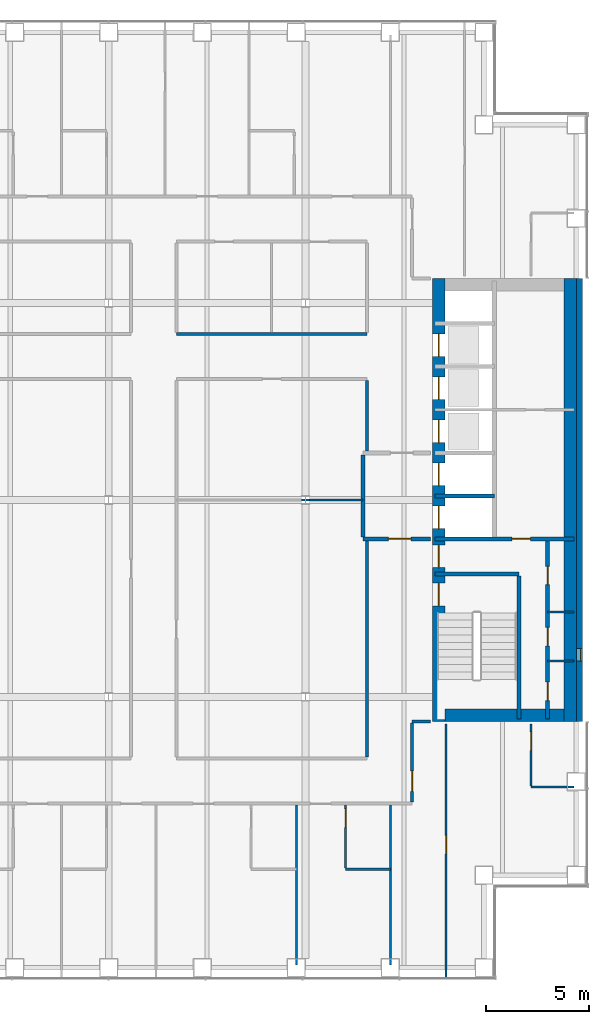
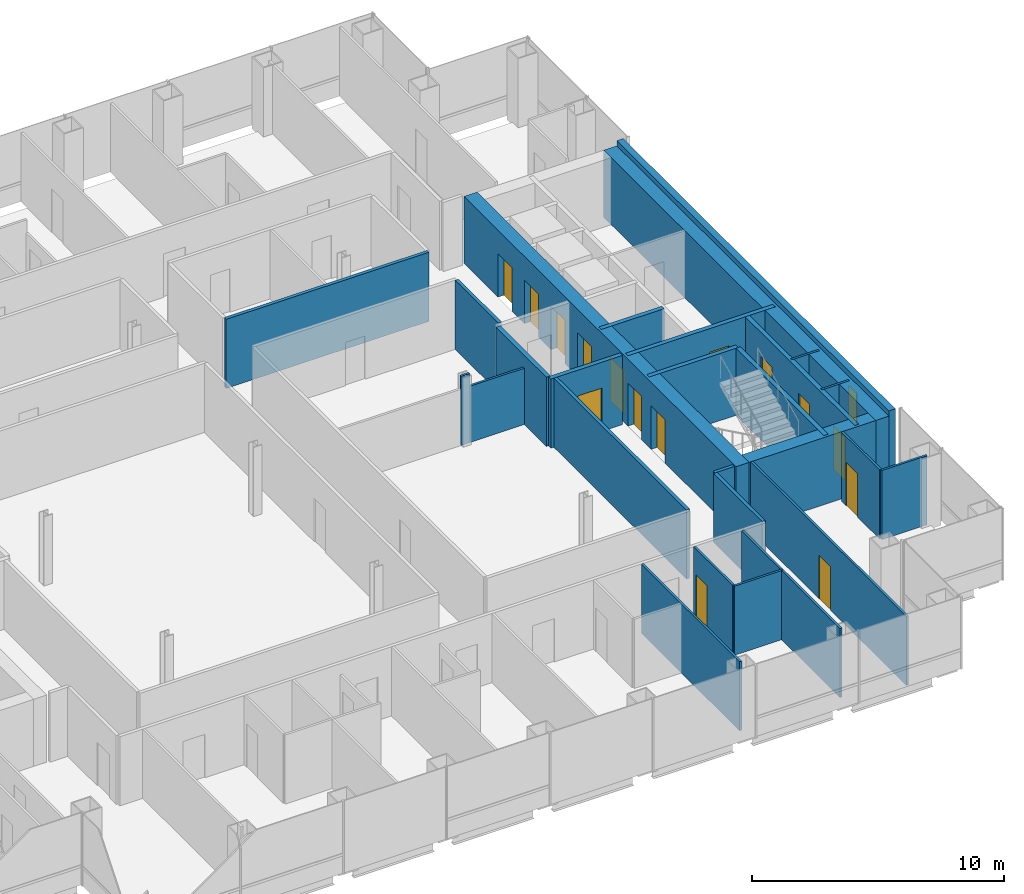
# One storey, part 12 of 16: 27 walls, 16 doors, 1 window, 17 openings.
"""IFC4 building model written with IfcOpenShell, lengths in metres."""

from ifc_helpers import new_model, si_unit, direction, frame, frame_2d, origin, place, context, subcontext, project, spatial, rectangle, extrude, material, layer, layer_set, type_object, element, fill, save


model = new_model("IFC4")

# Units and contexts
model_context = context("Model", 3, precision=1e-05, world=origin(), true_north=direction((0.0, 1.0)))
body_context = subcontext(model_context, "Body", "Model", "MODEL_VIEW")
ifc_project = project(units=[si_unit("LENGTHUNIT", "METRE"), si_unit("AREAUNIT", "SQUARE_METRE"), si_unit("VOLUMEUNIT", "CUBIC_METRE"), si_unit("PLANEANGLEUNIT", "RADIAN"), si_unit("MASSUNIT", "GRAM", prefix="KILO")], contexts=[model_context])

# Site, building, storey
site_placement = place(None, origin())
site = spatial("IfcSite", under=ifc_project, at=site_placement, CompositionType="ELEMENT")
building_placement = place(site_placement, origin())
building = spatial("IfcBuilding", under=site, at=building_placement, Name="Cobrizo Arcos Hotel Tower", CompositionType="ELEMENT")
storey_placement = place(building_placement, frame((0.0, 0.0, 92.5)))
storey = spatial("IfcBuildingStorey", under=building, at=storey_placement, Name="L22", CompositionType="ELEMENT", Elevation=92.5)

# Walls
ifc_material_1 = material(Name="Gypsum board partition")
ifc_layer_1 = layer(ifc_material_1, 0.14990234375)
ifc_layer_set_1 = layer_set([ifc_layer_1], Name="Corridor wall EI 60 150")
wall_type_1 = type_object("IfcWallType", Name="Corridor wall EI 60 150", PredefinedType="PARTITIONING", material=ifc_layer_set_1)
wall_1_placement = place(storey_placement, frame((14.800048828125, -10.800048828125, 0.0), z_axis=(0.0, 0.0, 1.0), x_axis=(1.0, 0.0, 0.0)))
element("IfcWall", 1, at=wall_1_placement, inside=storey, type_object=wall_type_1, Name="Partition 011", PredefinedType="PARTITIONING", context=body_context, shape_type="SweptSolid", body=[
    extrude(rectangle(XDim=0.8798828125, YDim=0.14990234375, at=frame_2d((0.43994140625, 0.0))), origin(), (0.0, 0.0, 1.0), 3.35009765625),
])
wall_2_placement = place(storey_placement, frame((3.300048828125, 8.10009765625, 0.0), z_axis=(0.0, 0.0, 1.0), x_axis=(1.0, 0.0, 0.0)))
element("IfcWall", 2, at=wall_2_placement, inside=storey, type_object=wall_type_1, Name="Partition 038", PredefinedType="PARTITIONING", context=body_context, shape_type="SweptSolid", body=[
    extrude(rectangle(XDim=9.300048828125, YDim=0.14990234375, at=frame_2d((4.64990234375, 0.0))), origin(), (0.0, 0.0, 1.0), 3.35009765625),
])
wall_3_placement = place(storey_placement, frame((12.60009765625, -12.52490234375, 0.0), z_axis=(0.0, 0.0, 1.0), x_axis=(0.0, 1.0, 0.0)))
element("IfcWall", 3, at=wall_3_placement, inside=storey, type_object=wall_type_1, Name="Partition 092", PredefinedType="PARTITIONING", context=body_context, shape_type="SweptSolid", body=[
    extrude(rectangle(XDim=10.52490234375, YDim=0.14990234375, at=frame_2d((5.262451171875, 0.0))), origin(), (0.0, 0.0, 1.0), 3.35009765625),
])
wall_4_placement = place(storey_placement, frame((12.60009765625, 2.39990234375, 0.0), z_axis=(0.0, 0.0, 1.0), x_axis=(0.0, 1.0, 0.0)))
element("IfcWall", 4, at=wall_4_placement, inside=storey, type_object=wall_type_1, Name="Partition 093", PredefinedType="PARTITIONING", context=body_context, shape_type="SweptSolid", body=[
    extrude(rectangle(XDim=3.425048828125, YDim=0.14990234375, at=frame_2d((1.71240234375, 0.0))), origin(), (0.0, 0.0, 1.0), 3.35009765625),
])

# Wall, opening, door
wall_5_placement = place(storey_placement, frame((14.800048828125, -14.72509765625, 0.0), z_axis=(0.0, 0.0, 1.0), x_axis=(0.0, 1.0, 0.0)))
wall_5 = element("IfcWall", 5, at=wall_5_placement, inside=storey, type_object=wall_type_1, Name="Partition 097", PredefinedType="PARTITIONING", context=body_context, shape_type="SweptSolid", body=[
    extrude(rectangle(XDim=3.85009765625, YDim=0.14990234375, at=frame_2d((1.925048828125, 0.0))), origin(), (0.0, 0.0, 1.0), 3.35009765625),
])
opening_1_placement = place(wall_5_placement, frame((0.52490234375, 0.0, 0.0)))
opening_1 = element("IfcOpeningElement", 6, at=opening_1_placement, cuts=wall_5, Name="Opening GD-12", PredefinedType="OPENING", context=body_context, shape_type="SweptSolid", body=[
    extrude(rectangle(XDim=1.0, YDim=2.10009765625, at=frame_2d((0.5, 1.050048828125))), frame((0.0, 0.0869140625, 0.0), z_axis=(0.0, -1.0, 0.0), x_axis=(1.0, 0.0, 0.0)), (0.0, 0.0, 1.0), 0.173828125),
])
ifc_material_2 = material(Name="Timber door leaf", Category="wood")
door_type_1 = type_object("IfcDoorType", Name="Guest room door FD30S 1000x2100", OperationType="SINGLE_SWING_LEFT", PredefinedType="DOOR", material=ifc_material_2)
door_1_placement = place(opening_1_placement, origin())
door_1 = element("IfcDoor", 7, at=door_1_placement, inside=storey, type_object=door_type_1, Name="Door GD-12", OperationType="SINGLE_SWING_LEFT", OverallHeight=2.10009765625, OverallWidth=1.0, PredefinedType="DOOR", context=body_context, shape_type="SweptSolid", body=[
    extrude(rectangle(XDim=1.0, YDim=2.10009765625, at=frame_2d((0.5, 1.050048828125))), frame((0.0, 0.02490234375, 0.0), z_axis=(0.0, -1.0, 0.0), x_axis=(1.0, 0.0, 0.0)), (0.0, 0.0, 1.0), 0.050048828125),
])
fill(opening_1, door_1)

# Wall, opening, window
ifc_material_3 = material(Name="Aluminium composite panel pale metal", Category="aluminium")
ifc_layer_2 = layer(ifc_material_3, 0.300048828125)
ifc_layer_set_2 = layer_set([ifc_layer_2], Name="EW-1 insulated panel wall 300")
wall_type_2 = type_object("IfcWallType", Name="EW-1 insulated panel wall 300", PredefinedType="SOLIDWALL", material=ifc_layer_set_2)
wall_6_placement = place(storey_placement, frame((22.949951171875, -10.800048828125, 0.0), z_axis=(0.0, 0.0, 1.0), x_axis=(0.0, 1.0, 0.0)))
wall_6 = element("IfcWall", 8, at=wall_6_placement, inside=storey, type_object=wall_type_2, Name="Core face wall L22 E", PredefinedType="SOLIDWALL", context=body_context, shape_type="SweptSolid", body=[
    extrude(rectangle(XDim=21.60009765625, YDim=0.300048828125, at=frame_2d((10.800048828125, 0.0))), origin(), (0.0, 0.0, 1.0), 3.5),
])
opening_2_placement = place(wall_6_placement, frame((2.949951171875, 0.0, 1.0)))
opening_2 = element("IfcOpeningElement", 9, at=opening_2_placement, cuts=wall_6, Name="Opening W-45", PredefinedType="OPENING", context=body_context, shape_type="SweptSolid", body=[
    extrude(rectangle(XDim=0.60009765625, YDim=1.5, at=frame_2d((0.300048828125, 0.75))), frame((0.0, 0.162109375, 0.0), z_axis=(0.0, -1.0, 0.0), x_axis=(1.0, 0.0, 0.0)), (0.0, 0.0, 1.0), 0.323974609375),
])
ifc_material_4 = material(Name="Aluminium 6063-T6 and clear laminated glass", Category="aluminium")
window_type = type_object("IfcWindowType", Name="W-C1 core stair slot window 600x1500", PartitioningType="SINGLE_PANEL", PredefinedType="WINDOW", material=ifc_material_4)
window_placement = place(opening_2_placement, origin())
window = element("IfcWindow", 10, at=window_placement, inside=storey, type_object=window_type, Name="Core face wall L22 E window W-45", OverallHeight=1.5, OverallWidth=0.60009765625, PartitioningType="SINGLE_PANEL", PredefinedType="WINDOW", context=body_context, shape_type="SweptSolid", body=[
    extrude(rectangle(XDim=0.60009765625, YDim=1.5, at=frame_2d((0.300048828125, 0.75))), frame((0.0, -0.06005859375, 0.0), z_axis=(0.0, -1.0, 0.0), x_axis=(1.0, 0.0, 0.0)), (0.0, 0.0, 1.0), 0.06005859375),
])
fill(opening_2, window)

# Walls
ifc_layer_3 = layer(ifc_material_1, 0.10009765625)
ifc_layer_set_3 = layer_set([ifc_layer_3], Name="Partition EI 30 100")
wall_type_3 = type_object("IfcWallType", Name="Partition EI 30 100", PredefinedType="PARTITIONING", material=ifc_layer_set_3)
wall_7_placement = place(storey_placement, frame((11.550048828125, -18.0, 0.0), z_axis=(0.0, 0.0, 1.0), x_axis=(1.0, 0.0, 0.0)))
element("IfcWall", 11, at=wall_7_placement, inside=storey, type_object=wall_type_3, Name="Partition 004", PredefinedType="PARTITIONING", context=body_context, shape_type="SweptSolid", body=[
    extrude(rectangle(XDim=2.199951171875, YDim=0.10009765625, at=frame_2d((1.10009765625, 0.0))), origin(), (0.0, 0.0, 1.0), 3.35009765625),
])
wall_8_placement = place(storey_placement, frame((20.60009765625, -14.0, 0.0), z_axis=(0.0, 0.0, 1.0), x_axis=(1.0, 0.0, 0.0)))
element("IfcWall", 12, at=wall_8_placement, inside=storey, type_object=wall_type_3, Name="Partition 007", PredefinedType="PARTITIONING", context=body_context, shape_type="SweptSolid", body=[
    extrude(rectangle(XDim=2.079833984375, YDim=0.10009765625, at=frame_2d((1.0400390625, 0.0))), origin(), (0.0, 0.0, 1.0), 3.35009765625),
])
for number, where, z_axis, x_axis, name in (
    (13, (21.39990234375, -7.85009765625, 0.0), (0.0, 0.0, 1.0), (1.0, 0.0, 0.0), "Partition 013"),
    (14, (21.39990234375, -5.449951171875, 0.0), (0.0, 0.0, 1.0), (1.0, 0.0, 0.0), "Partition 015"),
):
    element("IfcWall", number, at=place(storey_placement, frame(where, z_axis=z_axis, x_axis=x_axis)), inside=storey, type_object=wall_type_3, Name=name, PredefinedType="PARTITIONING", context=body_context, shape_type="SweptSolid", body=[
        extrude(rectangle(XDim=1.280029296875, YDim=0.10009765625, at=frame_2d((0.64013671875, 0.0))), origin(), (0.0, 0.0, 1.0), 3.25),
    ])
wall_9_placement = place(storey_placement, frame((9.40087890625, 0.0, 0.0), z_axis=(0.0, 0.0, 1.0), x_axis=(1.0, 0.0, 0.0)))
element("IfcWall", 15, at=wall_9_placement, inside=storey, type_object=wall_type_3, Name="Partition 023", PredefinedType="PARTITIONING", context=body_context, shape_type="SweptSolid", body=[
    extrude(rectangle(XDim=0.398193359375, YDim=0.10009765625, at=frame_2d((0.19921875, 0.0))), origin(), (0.0, 0.0, 1.0), 3.35009765625),
])
wall_10_placement = place(storey_placement, frame((9.799072265625, 0.0, 0.0), z_axis=(0.0, 0.0, 1.0), x_axis=(1.0, 0.0, 0.0)))
element("IfcWall", 16, at=wall_10_placement, inside=storey, type_object=wall_type_3, Name="Partition 024", PredefinedType="PARTITIONING", context=body_context, shape_type="SweptSolid", body=[
    extrude(rectangle(XDim=2.600830078125, YDim=0.10009765625, at=frame_2d((1.30029296875, 0.0))), origin(), (0.0, 0.0, 1.0), 2.72802734375),
])
wall_11_placement = place(storey_placement, frame((9.14990234375, -22.679931640625, 0.0), z_axis=(0.0, 0.0, 1.0), x_axis=(0.0, 1.0, 0.0)))
element("IfcWall", 17, at=wall_11_placement, inside=storey, type_object=wall_type_3, Name="Partition 089", PredefinedType="PARTITIONING", context=body_context, shape_type="SweptSolid", body=[
    extrude(rectangle(XDim=7.804931640625, YDim=0.10009765625, at=frame_2d((3.90234375, 0.0))), origin(), (0.0, 0.0, 1.0), 3.35009765625),
])

# Wall, opening, door
wall_12_placement = place(storey_placement, frame((11.550048828125, -17.949951171875, 0.0), z_axis=(0.0, 0.0, 1.0), x_axis=(0.0, 1.0, 0.0)))
wall_12 = element("IfcWall", 18, at=wall_12_placement, inside=storey, type_object=wall_type_3, Name="Partition 090", PredefinedType="PARTITIONING", context=body_context, shape_type="SweptSolid", body=[
    extrude(rectangle(XDim=3.074951171875, YDim=0.10009765625, at=frame_2d((1.53759765625, 0.0))), origin(), (0.0, 0.0, 1.0), 3.35009765625),
])
opening_3_placement = place(wall_12_placement, frame((1.99609375, 0.0, 0.0)))
opening_3 = element("IfcOpeningElement", 19, at=opening_3_placement, cuts=wall_12, Name="Opening ED-09", PredefinedType="OPENING", context=body_context, shape_type="SweptSolid", body=[
    extrude(rectangle(XDim=0.89990234375, YDim=2.10009765625, at=frame_2d((0.449951171875, 1.050048828125))), frame((0.0, 0.06201171875, 0.0), z_axis=(0.0, -1.0, 0.0), x_axis=(1.0, 0.0, 0.0)), (0.0, 0.0, 1.0), 0.1240234375),
])
door_type_2 = type_object("IfcDoorType", Name="En-suite door 900x2100", OperationType="SINGLE_SWING_LEFT", PredefinedType="DOOR", material=ifc_material_2)
door_2_placement = place(opening_3_placement, origin())
door_2 = element("IfcDoor", 20, at=door_2_placement, inside=storey, type_object=door_type_2, Name="Door ED-09", OperationType="SINGLE_SWING_RIGHT", OverallHeight=2.10009765625, OverallWidth=0.89990234375, PredefinedType="DOOR", context=body_context, shape_type="SweptSolid", body=[
    extrude(rectangle(XDim=0.89990234375, YDim=2.10009765625, at=frame_2d((0.449951171875, 1.050048828125))), frame((0.0, 0.02490234375, 0.0), z_axis=(0.0, -1.0, 0.0), x_axis=(1.0, 0.0, 0.0)), (0.0, 0.0, 1.0), 0.050048828125),
])
fill(opening_3, door_2)

# Wall
wall_13_placement = place(storey_placement, frame((13.75, -22.679931640625, 0.0), z_axis=(0.0, 0.0, 1.0), x_axis=(0.0, 1.0, 0.0)))
element("IfcWall", 21, at=wall_13_placement, inside=storey, type_object=wall_type_3, Name="Partition 095", PredefinedType="PARTITIONING", context=body_context, shape_type="SweptSolid", body=[
    extrude(rectangle(XDim=7.804931640625, YDim=0.10009765625, at=frame_2d((3.90234375, 0.0))), origin(), (0.0, 0.0, 1.0), 3.35009765625),
])

# Wall, opening, door
wall_14_placement = place(storey_placement, frame((16.449951171875, -23.280029296875, 0.0), z_axis=(0.0, 0.0, 1.0), x_axis=(0.0, 1.0, 0.0)))
wall_14 = element("IfcWall", 22, at=wall_14_placement, inside=storey, type_object=wall_type_3, Name="Partition 099", PredefinedType="PARTITIONING", context=body_context, shape_type="SweptSolid", body=[
    extrude(rectangle(XDim=12.360107421875, YDim=0.10009765625, at=frame_2d((6.18017578125, 0.0))), origin(), (0.0, 0.0, 1.0), 3.35009765625),
])
opening_4_placement = place(wall_14_placement, frame((6.030029296875, 0.0, 0.0)))
opening_4 = element("IfcOpeningElement", 23, at=opening_4_placement, cuts=wall_14, Name="Opening RD-14", PredefinedType="OPENING", context=body_context, shape_type="SweptSolid", body=[
    extrude(rectangle(XDim=0.89990234375, YDim=2.10009765625, at=frame_2d((0.449951171875, 1.050048828125))), frame((0.0, 0.06201171875, 0.0), z_axis=(0.0, -1.0, 0.0), x_axis=(1.0, 0.0, 0.0)), (0.0, 0.0, 1.0), 0.1240234375),
])
door_type_3 = type_object("IfcDoorType", Name="Room door FD30 900x2100", OperationType="SINGLE_SWING_LEFT", PredefinedType="DOOR", material=ifc_material_2)
door_3_placement = place(opening_4_placement, origin())
door_3 = element("IfcDoor", 24, at=door_3_placement, inside=storey, type_object=door_type_3, Name="Door RD-14", OperationType="SINGLE_SWING_LEFT", OverallHeight=2.10009765625, OverallWidth=0.89990234375, PredefinedType="DOOR", context=body_context, shape_type="SweptSolid", body=[
    extrude(rectangle(XDim=0.89990234375, YDim=2.10009765625, at=frame_2d((0.449951171875, 1.050048828125))), frame((0.0, 0.02490234375, 0.0), z_axis=(0.0, -1.0, 0.0), x_axis=(1.0, 0.0, 0.0)), (0.0, 0.0, 1.0), 0.050048828125),
])
fill(opening_4, door_3)

wall_15_placement = place(storey_placement, frame((20.60009765625, -13.949951171875, 0.0), z_axis=(0.0, 0.0, 1.0), x_axis=(0.0, 1.0, 0.0)))
wall_15 = element("IfcWall", 25, at=wall_15_placement, inside=storey, type_object=wall_type_3, Name="Partition 104", PredefinedType="PARTITIONING", context=body_context, shape_type="SweptSolid", body=[
    extrude(rectangle(XDim=3.030029296875, YDim=0.10009765625, at=frame_2d((1.51513671875, 0.0))), origin(), (0.0, 0.0, 1.0), 3.35009765625),
])
opening_5_placement = place(wall_15_placement, frame((1.739990234375, 0.0, 0.0)))
opening_5 = element("IfcOpeningElement", 26, at=opening_5_placement, cuts=wall_15, Name="Opening ED-12", PredefinedType="OPENING", context=body_context, shape_type="SweptSolid", body=[
    extrude(rectangle(XDim=0.89990234375, YDim=2.10009765625, at=frame_2d((0.449951171875, 1.050048828125))), frame((0.0, 0.06201171875, 0.0), z_axis=(0.0, -1.0, 0.0), x_axis=(1.0, 0.0, 0.0)), (0.0, 0.0, 1.0), 0.1240234375),
])
door_4_placement = place(opening_5_placement, origin())
door_4 = element("IfcDoor", 27, at=door_4_placement, inside=storey, type_object=door_type_2, Name="Door ED-12", OperationType="SINGLE_SWING_RIGHT", OverallHeight=2.10009765625, OverallWidth=0.89990234375, PredefinedType="DOOR", context=body_context, shape_type="SweptSolid", body=[
    extrude(rectangle(XDim=0.89990234375, YDim=2.10009765625, at=frame_2d((0.449951171875, 1.050048828125))), frame((0.0, 0.02490234375, 0.0), z_axis=(0.0, -1.0, 0.0), x_axis=(1.0, 0.0, 0.0)), (0.0, 0.0, 1.0), 0.050048828125),
])
fill(opening_5, door_4)

# Wall, openings, doors
ifc_material_5 = material(Name="Concrete f'c 50 MPa", Category="concrete")
ifc_layer_4 = layer(ifc_material_5, 0.60009765625)
ifc_layer_set_4 = layer_set([ifc_layer_4], Name="RC core wall 600 f'c 50")
wall_type_4 = type_object("IfcWallType", Name="RC core wall 600 f'c 50", PredefinedType="SHEAR", material=ifc_layer_set_4)
wall_16_placement = place(storey_placement, frame((16.10009765625, -10.800048828125, 0.0), z_axis=(0.0, 0.0, 1.0), x_axis=(0.0, 1.0, 0.0)))
wall_16 = element("IfcWall", 28, at=wall_16_placement, inside=storey, type_object=wall_type_4, Name="Core wall CW2, east core, inner face, L22", PredefinedType="SHEAR", context=body_context, shape_type="SweptSolid", body=[
    extrude(rectangle(XDim=21.60009765625, YDim=0.60009765625, at=frame_2d((10.800048828125, 0.0))), origin(), (0.0, 0.0, 1.0), 3.25),
])
opening_6_placement = place(wall_16_placement, frame((9.39990234375, 0.0, 0.0)))
opening_6 = element("IfcOpeningElement", 29, at=opening_6_placement, cuts=wall_16, Name="Opening LD-06", PredefinedType="OPENING", context=body_context, shape_type="SweptSolid", body=[
    extrude(rectangle(XDim=1.10009765625, YDim=2.10009765625, at=frame_2d((0.550048828125, 1.050048828125))), frame((0.0, 0.31201171875, 0.0), z_axis=(0.0, -1.0, 0.0), x_axis=(1.0, 0.0, 0.0)), (0.0, 0.0, 1.0), 0.6240234375),
])
opening_7_placement = place(wall_16_placement, frame((11.5, 0.0, 0.0)))
opening_7 = element("IfcOpeningElement", 30, at=opening_7_placement, cuts=wall_16, Name="Opening LD-07", PredefinedType="OPENING", context=body_context, shape_type="SweptSolid", body=[
    extrude(rectangle(XDim=1.10009765625, YDim=2.10009765625, at=frame_2d((0.550048828125, 1.050048828125))), frame((0.0, 0.31201171875, 0.0), z_axis=(0.0, -1.0, 0.0), x_axis=(1.0, 0.0, 0.0)), (0.0, 0.0, 1.0), 0.6240234375),
])
opening_8_placement = place(wall_16_placement, frame((13.60009765625, 0.0, 0.0)))
opening_8 = element("IfcOpeningElement", 31, at=opening_8_placement, cuts=wall_16, Name="Opening LD-08", PredefinedType="OPENING", context=body_context, shape_type="SweptSolid", body=[
    extrude(rectangle(XDim=1.10009765625, YDim=2.10009765625, at=frame_2d((0.550048828125, 1.050048828125))), frame((0.0, 0.31201171875, 0.0), z_axis=(0.0, -1.0, 0.0), x_axis=(1.0, 0.0, 0.0)), (0.0, 0.0, 1.0), 0.6240234375),
])
opening_9_placement = place(wall_16_placement, frame((15.699951171875, 0.0, 0.0)))
opening_9 = element("IfcOpeningElement", 32, at=opening_9_placement, cuts=wall_16, Name="Opening LD-09", PredefinedType="OPENING", context=body_context, shape_type="SweptSolid", body=[
    extrude(rectangle(XDim=1.10009765625, YDim=2.10009765625, at=frame_2d((0.550048828125, 1.050048828125))), frame((0.0, 0.31201171875, 0.0), z_axis=(0.0, -1.0, 0.0), x_axis=(1.0, 0.0, 0.0)), (0.0, 0.0, 1.0), 0.6240234375),
])
opening_10_placement = place(wall_16_placement, frame((17.800048828125, 0.0, 0.0)))
opening_10 = element("IfcOpeningElement", 33, at=opening_10_placement, cuts=wall_16, Name="Opening LD-10", PredefinedType="OPENING", context=body_context, shape_type="SweptSolid", body=[
    extrude(rectangle(XDim=1.10009765625, YDim=2.10009765625, at=frame_2d((0.550048828125, 1.050048828125))), frame((0.0, 0.31201171875, 0.0), z_axis=(0.0, -1.0, 0.0), x_axis=(1.0, 0.0, 0.0)), (0.0, 0.0, 1.0), 0.6240234375),
])
opening_11_placement = place(wall_16_placement, frame((5.64208984375, 0.0, 0.0)))
opening_11 = element("IfcOpeningElement", 34, at=opening_11_placement, cuts=wall_16, Name="Opening SD-02", PredefinedType="OPENING", context=body_context, shape_type="SweptSolid", body=[
    extrude(rectangle(XDim=1.10009765625, YDim=2.10009765625, at=frame_2d((0.550048828125, 1.050048828125))), frame((0.0, 0.31201171875, 0.0), z_axis=(0.0, -1.0, 0.0), x_axis=(1.0, 0.0, 0.0)), (0.0, 0.0, 1.0), 0.6240234375),
])
opening_12_placement = place(wall_16_placement, frame((7.5, 0.0, 0.0)))
opening_12 = element("IfcOpeningElement", 35, at=opening_12_placement, cuts=wall_16, Name="Opening FD-04", PredefinedType="OPENING", context=body_context, shape_type="SweptSolid", body=[
    extrude(rectangle(XDim=1.10009765625, YDim=2.10009765625, at=frame_2d((0.550048828125, 1.050048828125))), frame((0.0, 0.31201171875, 0.0), z_axis=(0.0, -1.0, 0.0), x_axis=(1.0, 0.0, 0.0)), (0.0, 0.0, 1.0), 0.6240234375),
])
ifc_material_6 = material(Name="Steel door leaf", Category="steel")
door_type_4 = type_object("IfcDoorType", Name="Fire door FD60 1100x2100", OperationType="SINGLE_SWING_LEFT", PredefinedType="DOOR", material=ifc_material_6)
door_5_placement = place(opening_12_placement, origin())
door_5 = element("IfcDoor", 36, at=door_5_placement, inside=storey, type_object=door_type_4, Name="Door FD-04", OperationType="SINGLE_SWING_RIGHT", OverallHeight=2.10009765625, OverallWidth=1.10009765625, PredefinedType="DOOR", context=body_context, shape_type="SweptSolid", body=[
    extrude(rectangle(XDim=1.10009765625, YDim=2.10009765625, at=frame_2d((0.550048828125, 1.050048828125))), frame((0.0, 0.02490234375, 0.0), z_axis=(0.0, -1.0, 0.0), x_axis=(1.0, 0.0, 0.0)), (0.0, 0.0, 1.0), 0.050048828125),
])
fill(opening_12, door_5)
door_type_5 = type_object("IfcDoorType", Name="Lift landing door 1100x2100", OperationType="SLIDING_TO_LEFT", PredefinedType="DOOR", material=ifc_material_6)
door_6_placement = place(opening_6_placement, origin())
door_6 = element("IfcDoor", 37, at=door_6_placement, inside=storey, type_object=door_type_5, Name="Lift landing door LD-06", OperationType="SLIDING_TO_LEFT", OverallHeight=2.10009765625, OverallWidth=1.10009765625, PredefinedType="DOOR", context=body_context, shape_type="SweptSolid", body=[
    extrude(rectangle(XDim=1.10009765625, YDim=2.10009765625, at=frame_2d((0.550048828125, 1.050048828125))), frame((0.0, 0.02490234375, 0.0), z_axis=(0.0, -1.0, 0.0), x_axis=(1.0, 0.0, 0.0)), (0.0, 0.0, 1.0), 0.050048828125),
])
fill(opening_6, door_6)
door_7_placement = place(opening_7_placement, origin())
door_7 = element("IfcDoor", 38, at=door_7_placement, inside=storey, type_object=door_type_5, Name="Lift landing door LD-07", OperationType="SLIDING_TO_LEFT", OverallHeight=2.10009765625, OverallWidth=1.10009765625, PredefinedType="DOOR", context=body_context, shape_type="SweptSolid", body=[
    extrude(rectangle(XDim=1.10009765625, YDim=2.10009765625, at=frame_2d((0.550048828125, 1.050048828125))), frame((0.0, 0.02490234375, 0.0), z_axis=(0.0, -1.0, 0.0), x_axis=(1.0, 0.0, 0.0)), (0.0, 0.0, 1.0), 0.050048828125),
])
fill(opening_7, door_7)
door_8_placement = place(opening_8_placement, origin())
door_8 = element("IfcDoor", 39, at=door_8_placement, inside=storey, type_object=door_type_5, Name="Lift landing door LD-08", OperationType="SLIDING_TO_LEFT", OverallHeight=2.10009765625, OverallWidth=1.10009765625, PredefinedType="DOOR", context=body_context, shape_type="SweptSolid", body=[
    extrude(rectangle(XDim=1.10009765625, YDim=2.10009765625, at=frame_2d((0.550048828125, 1.050048828125))), frame((0.0, 0.02490234375, 0.0), z_axis=(0.0, -1.0, 0.0), x_axis=(1.0, 0.0, 0.0)), (0.0, 0.0, 1.0), 0.050048828125),
])
fill(opening_8, door_8)
door_9_placement = place(opening_9_placement, origin())
door_9 = element("IfcDoor", 40, at=door_9_placement, inside=storey, type_object=door_type_5, Name="Lift landing door LD-09", OperationType="SLIDING_TO_LEFT", OverallHeight=2.10009765625, OverallWidth=1.10009765625, PredefinedType="DOOR", context=body_context, shape_type="SweptSolid", body=[
    extrude(rectangle(XDim=1.10009765625, YDim=2.10009765625, at=frame_2d((0.550048828125, 1.050048828125))), frame((0.0, 0.02490234375, 0.0), z_axis=(0.0, -1.0, 0.0), x_axis=(1.0, 0.0, 0.0)), (0.0, 0.0, 1.0), 0.050048828125),
])
fill(opening_9, door_9)
door_10_placement = place(opening_10_placement, origin())
door_10 = element("IfcDoor", 41, at=door_10_placement, inside=storey, type_object=door_type_5, Name="Lift landing door LD-10", OperationType="SLIDING_TO_LEFT", OverallHeight=2.10009765625, OverallWidth=1.10009765625, PredefinedType="DOOR", context=body_context, shape_type="SweptSolid", body=[
    extrude(rectangle(XDim=1.10009765625, YDim=2.10009765625, at=frame_2d((0.550048828125, 1.050048828125))), frame((0.0, 0.02490234375, 0.0), z_axis=(0.0, -1.0, 0.0), x_axis=(1.0, 0.0, 0.0)), (0.0, 0.0, 1.0), 0.050048828125),
])
fill(opening_10, door_10)
door_type_6 = type_object("IfcDoorType", Name="Stair door FD60S 1100x2100", OperationType="SINGLE_SWING_LEFT", PredefinedType="DOOR", material=ifc_material_6)
door_11_placement = place(opening_11_placement, origin())
door_11 = element("IfcDoor", 42, at=door_11_placement, inside=storey, type_object=door_type_6, Name="Door SD-02", OperationType="SINGLE_SWING_LEFT", OverallHeight=2.10009765625, OverallWidth=1.10009765625, PredefinedType="DOOR", context=body_context, shape_type="SweptSolid", body=[
    extrude(rectangle(XDim=1.10009765625, YDim=2.10009765625, at=frame_2d((0.550048828125, 1.050048828125))), frame((0.0, 0.02490234375, 0.0), z_axis=(0.0, -1.0, 0.0), x_axis=(1.0, 0.0, 0.0)), (0.0, 0.0, 1.0), 0.050048828125),
])
fill(opening_11, door_11)

# Walls
wall_17_placement = place(storey_placement, frame((22.5, -10.800048828125, 0.0), z_axis=(0.0, 0.0, 1.0), x_axis=(0.0, 1.0, 0.0)))
element("IfcWall", 43, at=wall_17_placement, inside=storey, type_object=wall_type_4, Name="Core wall CW2, east core, outer face, L22", PredefinedType="SHEAR", context=body_context, shape_type="SweptSolid", body=[
    extrude(rectangle(XDim=21.60009765625, YDim=0.60009765625, at=frame_2d((10.800048828125, 0.0))), origin(), (0.0, 0.0, 1.0), 3.25),
])
wall_18_placement = place(storey_placement, frame((16.39990234375, -10.5, 0.0), z_axis=(0.0, 0.0, 1.0), x_axis=(1.0, 0.0, 0.0)))
element("IfcWall", 44, at=wall_18_placement, inside=storey, type_object=wall_type_4, Name="Core wall CW2, east core, south end, L22", PredefinedType="SHEAR", context=body_context, shape_type="SweptSolid", body=[
    extrude(rectangle(XDim=5.800048828125, YDim=0.60009765625, at=frame_2d((2.89990234375, 0.0))), origin(), (0.0, 0.0, 1.0), 3.25),
])

# Wall, opening, door
ifc_layer_5 = layer(ifc_material_1, 0.199951171875)
ifc_layer_set_5 = layer_set([ifc_layer_5], Name="Shaft wall EI 120 200")
wall_type_5 = type_object("IfcWallType", Name="Shaft wall EI 120 200", PredefinedType="PARTITIONING", material=ifc_layer_set_5)
wall_19_placement = place(storey_placement, frame((12.39990234375, -1.89990234375, 0.0), z_axis=(0.0, 0.0, 1.0), x_axis=(1.0, 0.0, 0.0)))
wall_19 = element("IfcWall", 45, at=wall_19_placement, inside=storey, type_object=wall_type_5, Name="Partition 020", PredefinedType="PARTITIONING", context=body_context, shape_type="SweptSolid", body=[
    extrude(rectangle(XDim=3.280029296875, YDim=0.199951171875, at=frame_2d((1.64013671875, 0.0))), origin(), (0.0, 0.0, 1.0), 3.35009765625),
])
opening_13_placement = place(wall_19_placement, frame((1.239990234375, 0.0, 0.0)))
opening_13 = element("IfcOpeningElement", 46, at=opening_13_placement, cuts=wall_19, Name="Opening FD-05", PredefinedType="OPENING", context=body_context, shape_type="SweptSolid", body=[
    extrude(rectangle(XDim=1.10009765625, YDim=2.10009765625, at=frame_2d((0.550048828125, 1.050048828125))), frame((0.0, 0.112060546875, 0.0), z_axis=(0.0, -1.0, 0.0), x_axis=(1.0, 0.0, 0.0)), (0.0, 0.0, 1.0), 0.223876953125),
])
door_12_placement = place(opening_13_placement, origin())
door_12 = element("IfcDoor", 47, at=door_12_placement, inside=storey, type_object=door_type_4, Name="Door FD-05", OperationType="SINGLE_SWING_LEFT", OverallHeight=2.10009765625, OverallWidth=1.10009765625, PredefinedType="DOOR", context=body_context, shape_type="SweptSolid", body=[
    extrude(rectangle(XDim=1.10009765625, YDim=2.10009765625, at=frame_2d((0.550048828125, 1.050048828125))), frame((0.0, 0.02490234375, 0.0), z_axis=(0.0, -1.0, 0.0), x_axis=(1.0, 0.0, 0.0)), (0.0, 0.0, 1.0), 0.050048828125),
])
fill(opening_13, door_12)

wall_20_placement = place(storey_placement, frame((15.919921875, -1.89990234375, 0.0), z_axis=(0.0, 0.0, 1.0), x_axis=(1.0, 0.0, 0.0)))
wall_20 = element("IfcWall", 48, at=wall_20_placement, inside=storey, type_object=wall_type_5, Name="Partition 021", PredefinedType="PARTITIONING", context=body_context, shape_type="SweptSolid", body=[
    extrude(rectangle(XDim=6.760009765625, YDim=0.199951171875, at=frame_2d((3.3798828125, 0.0))), origin(), (0.0, 0.0, 1.0), 3.25),
])
opening_14_placement = place(wall_20_placement, frame((3.739990234375, 0.0, 0.0)))
opening_14 = element("IfcOpeningElement", 49, at=opening_14_placement, cuts=wall_20, Name="Opening RD-09", PredefinedType="OPENING", context=body_context, shape_type="SweptSolid", body=[
    extrude(rectangle(XDim=0.89990234375, YDim=2.10009765625, at=frame_2d((0.449951171875, 1.050048828125))), frame((0.0, 0.112060546875, 0.0), z_axis=(0.0, -1.0, 0.0), x_axis=(1.0, 0.0, 0.0)), (0.0, 0.0, 1.0), 0.223876953125),
])
door_13_placement = place(opening_14_placement, origin())
door_13 = element("IfcDoor", 50, at=door_13_placement, inside=storey, type_object=door_type_3, Name="Door RD-09", OperationType="SINGLE_SWING_RIGHT", OverallHeight=2.10009765625, OverallWidth=0.89990234375, PredefinedType="DOOR", context=body_context, shape_type="SweptSolid", body=[
    extrude(rectangle(XDim=0.89990234375, YDim=2.10009765625, at=frame_2d((0.449951171875, 1.050048828125))), frame((0.0, 0.02490234375, 0.0), z_axis=(0.0, -1.0, 0.0), x_axis=(1.0, 0.0, 0.0)), (0.0, 0.0, 1.0), 0.050048828125),
])
fill(opening_14, door_13)

# Walls
wall_21_placement = place(storey_placement, frame((15.919921875, 0.199951171875, 0.0), z_axis=(0.0, 0.0, 1.0), x_axis=(1.0, 0.0, 0.0)))
element("IfcWall", 51, at=wall_21_placement, inside=storey, type_object=wall_type_5, Name="Partition 026", PredefinedType="PARTITIONING", context=body_context, shape_type="SweptSolid", body=[
    extrude(rectangle(XDim=2.880126953125, YDim=0.199951171875, at=frame_2d((1.43994140625, 0.0))), origin(), (0.0, 0.0, 1.0), 3.25),
])
wall_22_placement = place(storey_placement, frame((12.39990234375, -1.800048828125, 0.0), z_axis=(0.0, 0.0, 1.0), x_axis=(0.0, 1.0, 0.0)))
element("IfcWall", 52, at=wall_22_placement, inside=storey, type_object=wall_type_5, Name="Partition 091", PredefinedType="PARTITIONING", context=body_context, shape_type="SweptSolid", body=[
    extrude(rectangle(XDim=4.0, YDim=0.199951171875, at=frame_2d((2.0, 0.0))), origin(), (0.0, 0.0, 1.0), 3.35009765625),
])

# Wall, openings, doors
wall_23_placement = place(storey_placement, frame((21.39990234375, -10.679931640625, 0.0), z_axis=(0.0, 0.0, 1.0), x_axis=(0.0, 1.0, 0.0)))
wall_23 = element("IfcWall", 53, at=wall_23_placement, inside=storey, type_object=wall_type_5, Name="Partition 106", PredefinedType="PARTITIONING", context=body_context, shape_type="SweptSolid", body=[
    extrude(rectangle(XDim=8.679931640625, YDim=0.199951171875, at=frame_2d((4.33984375, 0.0))), origin(), (0.0, 0.0, 1.0), 3.25),
])
opening_15_placement = place(wall_23_placement, frame((0.89892578125, 0.0, 0.0)))
opening_15 = element("IfcOpeningElement", 54, at=opening_15_placement, cuts=wall_23, Name="Opening RD-06", PredefinedType="OPENING", context=body_context, shape_type="SweptSolid", body=[
    extrude(rectangle(XDim=0.89990234375, YDim=2.10009765625, at=frame_2d((0.449951171875, 1.050048828125))), frame((0.0, 0.112060546875, 0.0), z_axis=(0.0, -1.0, 0.0), x_axis=(1.0, 0.0, 0.0)), (0.0, 0.0, 1.0), 0.223876953125),
])
opening_16_placement = place(wall_23_placement, frame((3.569091796875, 0.0, 0.0)))
opening_16 = element("IfcOpeningElement", 55, at=opening_16_placement, cuts=wall_23, Name="Opening RD-07", PredefinedType="OPENING", context=body_context, shape_type="SweptSolid", body=[
    extrude(rectangle(XDim=0.89990234375, YDim=2.10009765625, at=frame_2d((0.449951171875, 1.050048828125))), frame((0.0, 0.112060546875, 0.0), z_axis=(0.0, -1.0, 0.0), x_axis=(1.0, 0.0, 0.0)), (0.0, 0.0, 1.0), 0.223876953125),
])
opening_17_placement = place(wall_23_placement, frame((6.550048828125, 0.0, 0.0)))
opening_17 = element("IfcOpeningElement", 56, at=opening_17_placement, cuts=wall_23, Name="Opening RD-08", PredefinedType="OPENING", context=body_context, shape_type="SweptSolid", body=[
    extrude(rectangle(XDim=0.89990234375, YDim=2.10009765625, at=frame_2d((0.449951171875, 1.050048828125))), frame((0.0, 0.112060546875, 0.0), z_axis=(0.0, -1.0, 0.0), x_axis=(1.0, 0.0, 0.0)), (0.0, 0.0, 1.0), 0.223876953125),
])
door_14_placement = place(opening_15_placement, origin())
door_14 = element("IfcDoor", 57, at=door_14_placement, inside=storey, type_object=door_type_3, Name="Door RD-06", OperationType="SINGLE_SWING_RIGHT", OverallHeight=2.10009765625, OverallWidth=0.89990234375, PredefinedType="DOOR", context=body_context, shape_type="SweptSolid", body=[
    extrude(rectangle(XDim=0.89990234375, YDim=2.10009765625, at=frame_2d((0.449951171875, 1.050048828125))), frame((0.0, 0.02490234375, 0.0), z_axis=(0.0, -1.0, 0.0), x_axis=(1.0, 0.0, 0.0)), (0.0, 0.0, 1.0), 0.050048828125),
])
fill(opening_15, door_14)
door_15_placement = place(opening_16_placement, origin())
door_15 = element("IfcDoor", 58, at=door_15_placement, inside=storey, type_object=door_type_3, Name="Door RD-07", OperationType="SINGLE_SWING_LEFT", OverallHeight=2.10009765625, OverallWidth=0.89990234375, PredefinedType="DOOR", context=body_context, shape_type="SweptSolid", body=[
    extrude(rectangle(XDim=0.89990234375, YDim=2.10009765625, at=frame_2d((0.449951171875, 1.050048828125))), frame((0.0, 0.02490234375, 0.0), z_axis=(0.0, -1.0, 0.0), x_axis=(1.0, 0.0, 0.0)), (0.0, 0.0, 1.0), 0.050048828125),
])
fill(opening_16, door_15)
door_16_placement = place(opening_17_placement, origin())
door_16 = element("IfcDoor", 59, at=door_16_placement, inside=storey, type_object=door_type_3, Name="Door RD-08", OperationType="SINGLE_SWING_RIGHT", OverallHeight=2.10009765625, OverallWidth=0.89990234375, PredefinedType="DOOR", context=body_context, shape_type="SweptSolid", body=[
    extrude(rectangle(XDim=0.89990234375, YDim=2.10009765625, at=frame_2d((0.449951171875, 1.050048828125))), frame((0.0, 0.02490234375, 0.0), z_axis=(0.0, -1.0, 0.0), x_axis=(1.0, 0.0, 0.0)), (0.0, 0.0, 1.0), 0.050048828125),
])
fill(opening_17, door_16)

# Walls
ifc_material_7 = material(Name="Concrete f'c 40 MPa", Category="concrete")
ifc_layer_6 = layer(ifc_material_7, 0.199951171875)
ifc_layer_set_6 = layer_set([ifc_layer_6], Name="Stair shaft wall 200")
wall_type_6 = type_object("IfcWallType", Name="Stair shaft wall 200", PredefinedType="SHEAR", material=ifc_layer_set_6)
wall_24_placement = place(storey_placement, frame((15.919921875, -3.60009765625, 0.0), z_axis=(0.0, 0.0, 1.0), x_axis=(1.0, 0.0, 0.0)))
element("IfcWall", 60, at=wall_24_placement, inside=storey, type_object=wall_type_6, Name="Stair shaft wall E", PredefinedType="SHEAR", context=body_context, shape_type="SweptSolid", body=[
    extrude(rectangle(XDim=4.080078125, YDim=0.199951171875, at=frame_2d((2.0400390625, 0.0))), origin(), (0.0, 0.0, 1.0), 3.25),
])
wall_25_placement = place(storey_placement, frame((20.0, -10.679931640625, 0.0), z_axis=(0.0, 0.0, 1.0), x_axis=(0.0, 1.0, 0.0)))
element("IfcWall", 61, at=wall_25_placement, inside=storey, type_object=wall_type_6, Name="Stair shaft wall E", PredefinedType="SHEAR", context=body_context, shape_type="SweptSolid", body=[
    extrude(rectangle(XDim=6.97998046875, YDim=0.199951171875, at=frame_2d((3.489990234375, 0.0))), origin(), (0.0, 0.0, 1.0), 3.25),
])

save(model, "model.ifc")
